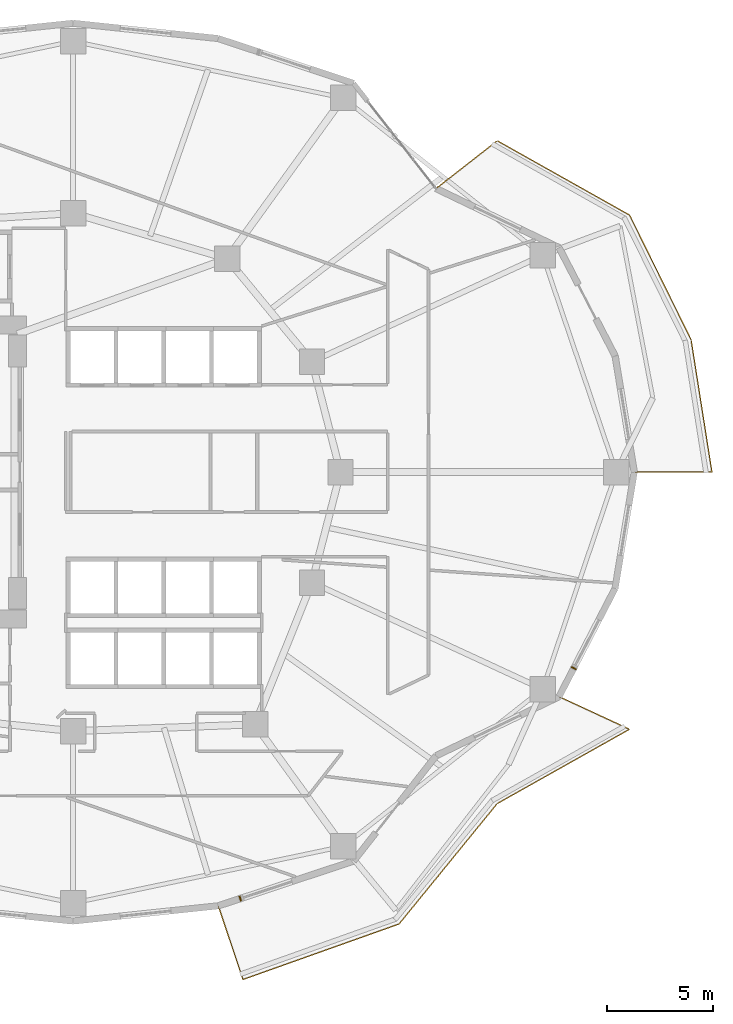
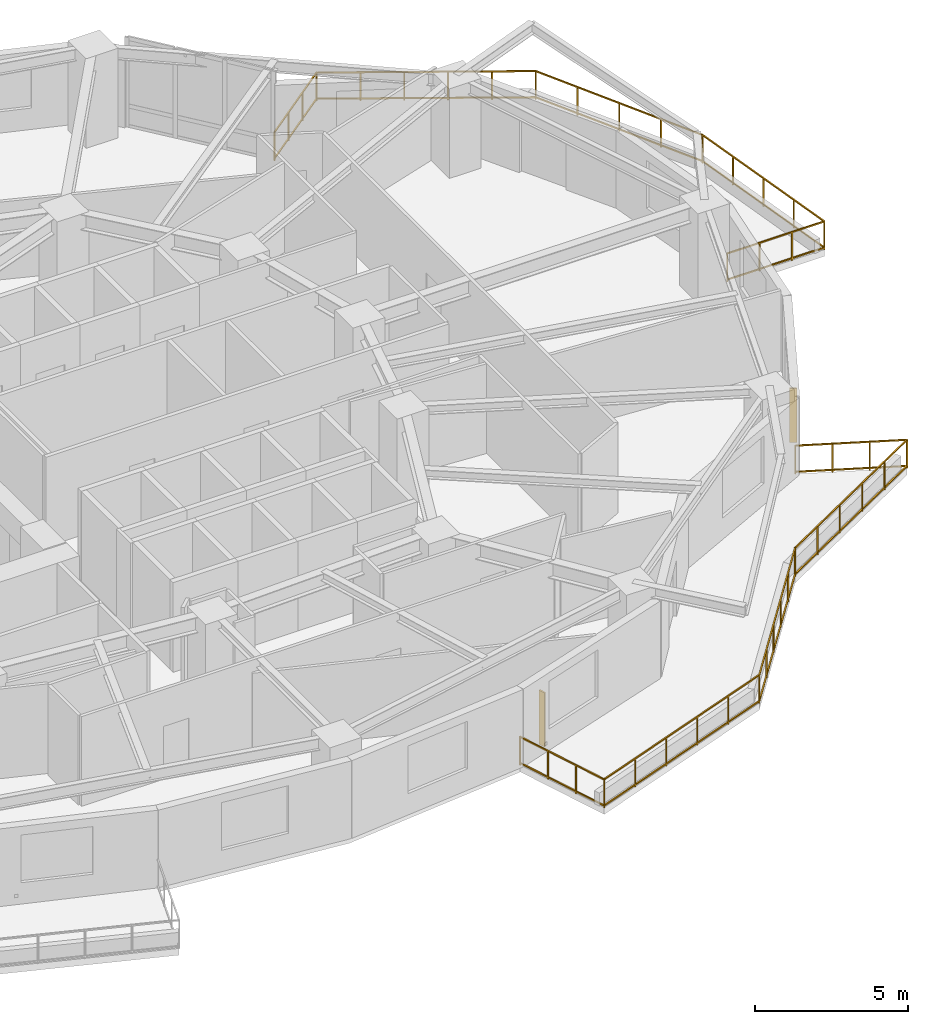
# One storey, part 11 of 12: 2 railings, 2 shading devices.
"""IFC4 building model written with IfcOpenShell, lengths in metres."""

import ifcopenshell
import ifcopenshell.guid

model = None  # the IFC model being written
_history = None  # IfcOwnerHistory: only IFC2X3 demands one
_inside = {}  # id of a spatial element -> (the spatial element, [elements in it])
_under = {}  # id of a project, library or spatial element -> (it, [spatial elements below it])
_declared = {}  # id of a project -> (the project, [libraries it declares])
_typed = {}  # id of a type object -> (the type object, [elements of that type])
_made_of = {}  # id of a material, layer set ... -> (it, [elements and type objects made of it])


def new_model(schema):
    """Start an empty IFC model of exactly this schema.

    Asked for "IFC4X3", IfcOpenShell would pick the latest addendum, in which some entities
    have other attributes; the version numbers below select the first issue.
    IFC2X3 requires an IfcOwnerHistory on every rooted entity: one is made here for all.
    """
    global model, _history
    if schema == "IFC4X3":
        model = ifcopenshell.file(schema_version=(4, 3, 0, 0))
    else:
        model = ifcopenshell.file(schema=schema)
    _inside.clear()
    _under.clear()
    _declared.clear()
    _typed.clear()
    _made_of.clear()
    _history = None
    if model.schema == "IFC2X3":
        org = make("IfcOrganization", Name="unknown")
        user = make(
            "IfcPersonAndOrganization",
            ThePerson=make("IfcPerson", FamilyName="unknown"),
            TheOrganization=org,
        )
        app = make(
            "IfcApplication",
            ApplicationDeveloper=org,
            Version="unknown",
            ApplicationFullName="unknown",
            ApplicationIdentifier="unknown",
        )
        _history = make(
            "IfcOwnerHistory",
            OwningUser=user,
            OwningApplication=app,
            ChangeAction="ADDED",
            CreationDate=0,
        )
    return model


def make(cls, **values):
    """One entity of the class cls with the attributes given. An attribute that is None is left unset."""
    return model.create_entity(
        cls, **{name: value for name, value in values.items() if value is not None}
    )


def rooted(cls, **values):
    """An entity with a GlobalId (a new one), such as an element, a storey or a relation."""
    return make(cls, GlobalId=ifcopenshell.guid.new(), OwnerHistory=_history, **values)


def si_unit(unit_type, name, prefix=None):
    """IfcSIUnit, for example si_unit("LENGTHUNIT", "METRE", prefix="MILLI")."""
    return make("IfcSIUnit", UnitType=unit_type, Prefix=prefix, Name=name)


def assignment(units):
    """IfcUnitAssignment: the units of a project."""
    return None if units is None else make("IfcUnitAssignment", Units=units)


def point(xyz):
    """IfcCartesianPoint."""
    return None if xyz is None else make("IfcCartesianPoint", Coordinates=xyz)


def direction(xyz):
    """IfcDirection."""
    return None if xyz is None else make("IfcDirection", DirectionRatios=xyz)


def frame(location, z_axis=None, x_axis=None):
    """IfcAxis2Placement3D, a coordinate frame: its origin and axes. An axis left out is left unset."""
    return make(
        "IfcAxis2Placement3D",
        Location=point(location),
        Axis=direction(z_axis),
        RefDirection=direction(x_axis),
    )


def frame_2d(location, x_axis=None):
    """IfcAxis2Placement2D, a coordinate frame in the plane: its origin and x axis."""
    return make(
        "IfcAxis2Placement2D", Location=point(location), RefDirection=direction(x_axis)
    )


def origin():
    """The frame at (0, 0, 0) with its axes left unset."""
    return frame((0.0, 0.0, 0.0))


def origin_2d():
    """The frame at (0, 0) in the plane with its x axis left unset."""
    return frame_2d((0.0, 0.0))


def place(relative_to, where):
    """IfcLocalPlacement: puts the frame where relative to a parent placement (None: the world)."""
    return make(
        "IfcLocalPlacement", PlacementRelTo=relative_to, RelativePlacement=where
    )


def context(
    kind, dimensions, precision=None, world=None, true_north=None, identifier=None
):
    """IfcGeometricRepresentationContext, for example the 3D "Model" context."""
    return make(
        "IfcGeometricRepresentationContext",
        ContextIdentifier=identifier,
        ContextType=kind,
        CoordinateSpaceDimension=dimensions,
        Precision=precision,
        WorldCoordinateSystem=world,
        TrueNorth=true_north,
    )


def subcontext(parent, identifier, kind, view, scale=None):
    """IfcGeometricRepresentationSubContext, for example "Body" below "Model"."""
    return make(
        "IfcGeometricRepresentationSubContext",
        ContextIdentifier=identifier,
        ContextType=kind,
        ParentContext=parent,
        TargetScale=scale,
        TargetView=view,
    )


def project(units=None, contexts=None):
    """IfcProject with its units and contexts."""
    return rooted(
        "IfcProject",
        Name="project",
        RepresentationContexts=contexts,
        UnitsInContext=assignment(units),
    )


def spatial(cls, under=None, at=None, **own):
    """A site, building, storey or space (cls), placed at a placement, below another one or the project."""
    s = rooted(cls, ObjectPlacement=at, **own)
    if under is not None:
        _under.setdefault(under.id(), (under, []))[1].append(s)
    return s


def profile(cls, at=None, kind="AREA", **sizes):
    """A parametric profile (cls). Its sizes go by their IFC names, for example OverallWidth=200.0."""
    return make(cls, ProfileType=kind, Position=at, **sizes)


def rectangle(**sizes):
    """IfcRectangleProfileDef."""
    return profile("IfcRectangleProfileDef", **sizes)


def extrude(swept, where, along, depth):
    """IfcExtrudedAreaSolid: the profile swept, set in the frame where, extruded along a direction by depth."""
    return make(
        "IfcExtrudedAreaSolid",
        SweptArea=swept,
        Position=where,
        ExtrudedDirection=direction(along),
        Depth=depth,
    )


def shape(context_of_items, identifier, shape_type, items):
    """IfcShapeRepresentation: the items that make up one representation, for example the "Body"."""
    return make(
        "IfcShapeRepresentation",
        ContextOfItems=context_of_items,
        RepresentationIdentifier=identifier,
        RepresentationType=shape_type,
        Items=items,
    )


def material(Name=None, Category=None):
    """IfcMaterial."""
    return make("IfcMaterial", Name=Name, Category=Category)


def made_of(thing, what):
    """Note that an element or type object is made of a material, layer set ...; save() writes the relation."""
    if what is not None:
        _made_of.setdefault(what.id(), (what, []))[1].append(thing)
    return thing


def type_object(cls, material=None, **own):
    """A type object (cls), such as IfcWallType, which elements share."""
    return made_of(rooted(cls, **own), material)


def element(
    cls,
    number,
    at=None,
    inside=None,
    cuts=None,
    type_object=None,
    material=None,
    context=None,
    identifier="Body",
    shape_type=None,
    held_by="IfcProductDefinitionShape",
    body=None,
    shapes=None,
    **own,
):
    """One element of the class cls, such as IfcWall. Its Tag is "e" and its number.

    at: its placement. inside: the storey or other place that contains it. cuts: it is an
    opening in that element (IfcRelVoidsElement). A single representation is given by context,
    identifier, shape_type and body (its items); several are given by shapes. held_by: the class
    of the entity that holds the representations. save() writes the other relations.
    """
    e = rooted(cls, Tag="e%d" % number, ObjectPlacement=at, **own)
    if body is not None:
        shapes = [shape(context, identifier, shape_type, body)]
    if shapes is not None:
        e.Representation = make(held_by, Representations=shapes)
    if inside is not None:
        _inside.setdefault(inside.id(), (inside, []))[1].append(e)
    if cuts is not None:
        rooted(
            "IfcRelVoidsElement", RelatingBuildingElement=cuts, RelatedOpeningElement=e
        )
    if type_object is not None:
        _typed.setdefault(type_object.id(), (type_object, []))[1].append(e)
    return made_of(e, material)


def aggregate(whole, parts):
    """IfcRelAggregates: a whole, such as a stair, and the parts it consists of."""
    return rooted("IfcRelAggregates", RelatingObject=whole, RelatedObjects=parts)


def save(model, path):
    """Write the relations noted so far, then the file.

    IfcRelAggregates (storeys below a building ...), IfcRelContainedInSpatialStructure (elements
    in a storey), IfcRelDefinesByType, IfcRelAssociatesMaterial and IfcRelDeclares: one each for
    every whole, place, type object, material and project.
    """
    for whole, parts in _under.values():
        aggregate(whole, parts)
    for where, things in _inside.values():
        rooted(
            "IfcRelContainedInSpatialStructure",
            RelatedElements=things,
            RelatingStructure=where,
        )
    for kind, things in _typed.values():
        rooted("IfcRelDefinesByType", RelatedObjects=things, RelatingType=kind)
    for what, things in _made_of.values():
        rooted("IfcRelAssociatesMaterial", RelatedObjects=things, RelatingMaterial=what)
    for by, libraries in _declared.values():
        rooted("IfcRelDeclares", RelatingContext=by, RelatedDefinitions=libraries)
    model.write(path)


model = new_model("IFC4")

# Units and contexts
model_context = context("Model", 3, precision=1e-05, world=origin(), true_north=direction((0.0, 1.0)))
body_context = subcontext(model_context, "Body", "Model", "MODEL_VIEW")
ifc_project = project(units=[si_unit("LENGTHUNIT", "METRE"), si_unit("AREAUNIT", "SQUARE_METRE"), si_unit("VOLUMEUNIT", "CUBIC_METRE"), si_unit("PLANEANGLEUNIT", "RADIAN"), si_unit("MASSUNIT", "GRAM", prefix="KILO")], contexts=[model_context])

# Site, building, storey
site_placement = place(None, origin())
site = spatial("IfcSite", under=ifc_project, at=site_placement, CompositionType="ELEMENT")
building_placement = place(site_placement, origin())
building = spatial("IfcBuilding", under=site, at=building_placement, Name="Kolvaren Gate Tower and Convention Centre", CompositionType="ELEMENT")
storey_placement = place(building_placement, frame((0.0, 0.0, 84.25)))
storey = spatial("IfcBuildingStorey", under=building, at=storey_placement, Name="L20", CompositionType="ELEMENT", Elevation=84.25)

# Railings
ifc_material_1 = material(Name="Brushed Stainless Steel Grade 316L", Category="steel")
railing_type = type_object("IfcRailingType", Name="ARCH-RL-GUARD-1150", PredefinedType="GUARDRAIL", material=ifc_material_1)
railing_1_placement = place(storey_placement, frame((56.5625, 27.0, 0.0)))
element("IfcRailing", 1, at=railing_1_placement, inside=storey, type_object=railing_type, Name="Tower L20 Terrace Perimeter Guardrail GR-1", PredefinedType="GUARDRAIL", context=body_context, shape_type="SweptSolid", body=[
    extrude(rectangle(XDim=0.048095703125, YDim=0.048095703125, at=origin_2d()), frame((0.028076171875, 0.0, 1.1259765625), z_axis=(1.0, 0.0, 0.0), x_axis=(0.0, 1.0, 0.0)), (0.0, 0.0, 1.0), 3.603759765625),
    extrude(rectangle(XDim=0.048095703125, YDim=0.048095703125, at=origin_2d()), frame((0.028076171875, 0.0, 0.083984375), z_axis=(1.0, 0.0, 0.0), x_axis=(0.0, 1.0, 0.0)), (0.0, 0.0, 1.0), 3.603759765625),
    extrude(rectangle(XDim=0.048095703125, YDim=0.048095703125, at=origin_2d()), frame((3.655517578125, 0.027587890625, 1.1259765625), z_axis=(-0.155418843943, 0.98784866399, 0.0), x_axis=(-0.98784866399, -0.155418843943, 0.0)), (0.0, 0.0, 1.0), 6.261962890625),
    extrude(rectangle(XDim=0.048095703125, YDim=0.048095703125, at=origin_2d()), frame((3.655517578125, 0.027587890625, 0.083984375), z_axis=(-0.155418843943, 0.98784866399, 0.0), x_axis=(-0.98784866399, -0.155418843943, 0.0)), (0.0, 0.0, 1.0), 6.261962890625),
    extrude(rectangle(XDim=0.048095703125, YDim=0.048095703125, at=origin_2d()), frame((2.66552734375, 6.266357421875, 1.1259765625), z_axis=(-0.442686636348, 0.89667638644, 0.0), x_axis=(-0.89667638644, -0.442686636348, 0.0)), (0.0, 0.0, 1.0), 6.488525390625),
    extrude(rectangle(XDim=0.048095703125, YDim=0.048095703125, at=origin_2d()), frame((2.66552734375, 6.266357421875, 0.083984375), z_axis=(-0.442686636348, 0.89667638644, 0.0), x_axis=(-0.89667638644, -0.442686636348, 0.0)), (0.0, 0.0, 1.0), 6.488525390625),
    extrude(rectangle(XDim=0.048095703125, YDim=0.048095703125, at=origin_2d()), frame((-0.24365234375, 12.123291015625, 1.1259765625), z_axis=(-0.871783301661, 0.489891697159, 0.0), x_axis=(-0.489891697159, -0.871783301661, 0.0)), (0.0, 0.0, 1.0), 7.096435546875),
    extrude(rectangle(XDim=0.048095703125, YDim=0.048095703125, at=origin_2d()), frame((-0.24365234375, 12.123291015625, 0.083984375), z_axis=(-0.871783301661, 0.489891697159, 0.0), x_axis=(-0.489891697159, -0.871783301661, 0.0)), (0.0, 0.0, 1.0), 7.096435546875),
    extrude(rectangle(XDim=0.048095703125, YDim=0.048095703125, at=origin_2d()), frame((-6.476806640625, 15.59619140625, 1.1259765625), z_axis=(-0.787988976981, -0.61568934712, 0.0), x_axis=(0.61568934712, -0.787988976981, 0.0)), (0.0, 0.0, 1.0), 3.60400390625),
    extrude(rectangle(XDim=0.048095703125, YDim=0.048095703125, at=origin_2d()), frame((-6.476806640625, 15.59619140625, 0.083984375), z_axis=(-0.787988976981, -0.61568934712, 0.0), x_axis=(0.61568934712, -0.787988976981, 0.0)), (0.0, 0.0, 1.0), 3.60400390625),
    extrude(rectangle(XDim=0.0419921875, YDim=0.0419921875, at=origin_2d()), origin(), (0.0, 0.0, 1.0), 1.14990234375),
    extrude(rectangle(XDim=0.0419921875, YDim=0.0419921875, at=origin_2d()), frame((3.659912109375, 0.0, 0.0)), (0.0, 0.0, 1.0), 1.14990234375),
    extrude(rectangle(XDim=0.0419921875, YDim=0.0419921875, at=origin_2d()), frame((1.219970703125, 0.0, 0.0)), (0.0, 0.0, 1.0), 1.099853515625),
    extrude(rectangle(XDim=0.0419921875, YDim=0.0419921875, at=origin_2d()), frame((2.43994140625, 0.0, 0.0)), (0.0, 0.0, 1.0), 1.099853515625),
    extrude(rectangle(XDim=0.0419921875, YDim=0.0419921875, at=origin_2d()), frame((2.677978515625, 6.2412109375, 0.0)), (0.0, 0.0, 1.0), 1.14990234375),
    extrude(rectangle(XDim=0.0419921875, YDim=0.0419921875, at=origin_2d()), frame((3.41455078125, 1.560302734375, 0.0)), (0.0, 0.0, 1.0), 1.099853515625),
    extrude(rectangle(XDim=0.0419921875, YDim=0.0419921875, at=origin_2d()), frame((3.1689453125, 3.12060546875, 0.0)), (0.0, 0.0, 1.0), 1.099853515625),
    extrude(rectangle(XDim=0.0419921875, YDim=0.0419921875, at=origin_2d()), frame((2.92333984375, 4.680908203125, 0.0)), (0.0, 0.0, 1.0), 1.099853515625),
    extrude(rectangle(XDim=0.0419921875, YDim=0.0419921875, at=origin_2d()), frame((-0.21923828125, 12.109619140625, 0.0)), (0.0, 0.0, 1.0), 1.14990234375),
    extrude(rectangle(XDim=0.0419921875, YDim=0.0419921875, at=origin_2d()), frame((1.95361328125, 7.708251953125, 0.0)), (0.0, 0.0, 1.0), 1.099853515625),
    extrude(rectangle(XDim=0.0419921875, YDim=0.0419921875, at=origin_2d()), frame((1.2294921875, 9.17529296875, 0.0)), (0.0, 0.0, 1.0), 1.099853515625),
    extrude(rectangle(XDim=0.0419921875, YDim=0.0419921875, at=origin_2d()), frame((0.505126953125, 10.642578125, 0.0)), (0.0, 0.0, 1.0), 1.099853515625),
    extrude(rectangle(XDim=0.0419921875, YDim=0.0419921875, at=origin_2d()), frame((-6.45458984375, 15.613525390625, 0.0)), (0.0, 0.0, 1.0), 1.14990234375),
    extrude(rectangle(XDim=0.0419921875, YDim=0.0419921875, at=origin_2d()), frame((-1.46630859375, 12.810302734375, 0.0)), (0.0, 0.0, 1.0), 1.099853515625),
    extrude(rectangle(XDim=0.0419921875, YDim=0.0419921875, at=origin_2d()), frame((-2.71337890625, 13.51123046875, 0.0)), (0.0, 0.0, 1.0), 1.099853515625),
    extrude(rectangle(XDim=0.0419921875, YDim=0.0419921875, at=origin_2d()), frame((-3.96044921875, 14.2119140625, 0.0)), (0.0, 0.0, 1.0), 1.099853515625),
    extrude(rectangle(XDim=0.0419921875, YDim=0.0419921875, at=origin_2d()), frame((-5.20751953125, 14.912841796875, 0.0)), (0.0, 0.0, 1.0), 1.099853515625),
    extrude(rectangle(XDim=0.0419921875, YDim=0.0419921875, at=origin_2d()), frame((-9.338623046875, 13.360107421875, 0.0)), (0.0, 0.0, 1.0), 1.14990234375),
    extrude(rectangle(XDim=0.0419921875, YDim=0.0419921875, at=origin_2d()), frame((-7.416015625, 14.8623046875, 0.0)), (0.0, 0.0, 1.0), 1.099853515625),
    extrude(rectangle(XDim=0.0419921875, YDim=0.0419921875, at=origin_2d()), frame((-8.377197265625, 14.111328125, 0.0)), (0.0, 0.0, 1.0), 1.099853515625),
])
railing_2_placement = place(storey_placement, frame((36.967529296875, 6.57080078125, 0.0)))
element("IfcRailing", 2, at=railing_2_placement, inside=storey, type_object=railing_type, Name="Tower L20 Terrace Perimeter Guardrail GR-4", PredefinedType="GUARDRAIL", context=body_context, shape_type="SweptSolid", body=[
    extrude(rectangle(XDim=0.048095703125, YDim=0.048095703125, at=origin_2d()), frame((0.0087890625, -0.026611328125, 1.1259765625), z_axis=(0.317568160167, -0.94823544737, 0.0), x_axis=(0.94823544737, 0.317568160167, 0.0)), (0.0, 0.0, 1.0), 3.60400390625),
    extrude(rectangle(XDim=0.048095703125, YDim=0.048095703125, at=origin_2d()), frame((0.0087890625, -0.026611328125, 0.083984375), z_axis=(0.317568160167, -0.94823544737, 0.0), x_axis=(0.94823544737, 0.317568160167, 0.0)), (0.0, 0.0, 1.0), 3.60400390625),
    extrude(rectangle(XDim=0.048095703125, YDim=0.048095703125, at=origin_2d()), frame((1.188720703125, -3.46142578125, 1.1259765625), z_axis=(0.942200211781, 0.335050385643, 0.0), x_axis=(-0.335050385643, 0.942200211781, 0.0)), (0.0, 0.0, 1.0), 7.7509765625),
    extrude(rectangle(XDim=0.048095703125, YDim=0.048095703125, at=origin_2d()), frame((1.188720703125, -3.46142578125, 0.083984375), z_axis=(0.942200211781, 0.335050385643, 0.0), x_axis=(-0.335050385643, 0.942200211781, 0.0)), (0.0, 0.0, 1.0), 7.7509765625),
    extrude(rectangle(XDim=0.048095703125, YDim=0.048095703125, at=origin_2d()), frame((8.535888671875, -0.833251953125, 1.1259765625), z_axis=(0.631819273026, 0.775115737315, 0.0), x_axis=(-0.775115737315, 0.631819273026, 0.0)), (0.0, 0.0, 1.0), 7.259765625),
    extrude(rectangle(XDim=0.048095703125, YDim=0.048095703125, at=origin_2d()), frame((8.535888671875, -0.833251953125, 0.083984375), z_axis=(0.631819273026, 0.775115737315, 0.0), x_axis=(-0.775115737315, 0.631819273026, 0.0)), (0.0, 0.0, 1.0), 7.259765625),
    extrude(rectangle(XDim=0.048095703125, YDim=0.048095703125, at=origin_2d()), frame((13.164794921875, 4.829345703125, 1.1259765625), z_axis=(0.871783301661, 0.489891697159, 0.0), x_axis=(-0.489891697159, 0.871783301661, 0.0)), (0.0, 0.0, 1.0), 7.096435546875),
    extrude(rectangle(XDim=0.048095703125, YDim=0.048095703125, at=origin_2d()), frame((13.164794921875, 4.829345703125, 0.083984375), z_axis=(0.871783301661, 0.489891697159, 0.0), x_axis=(-0.489891697159, 0.871783301661, 0.0)), (0.0, 0.0, 1.0), 7.096435546875),
    extrude(rectangle(XDim=0.048095703125, YDim=0.048095703125, at=origin_2d()), frame((19.350341796875, 8.331298828125, 1.1259765625), z_axis=(-0.907846116663, 0.419303503993, 0.0), x_axis=(-0.419303503993, -0.907846116663, 0.0)), (0.0, 0.0, 1.0), 3.60400390625),
    extrude(rectangle(XDim=0.048095703125, YDim=0.048095703125, at=origin_2d()), frame((19.350341796875, 8.331298828125, 0.083984375), z_axis=(-0.907846116663, 0.419303503993, 0.0), x_axis=(-0.419303503993, -0.907846116663, 0.0)), (0.0, 0.0, 1.0), 3.60400390625),
    extrude(rectangle(XDim=0.0419921875, YDim=0.0419921875, at=origin_2d()), origin(), (0.0, 0.0, 1.0), 1.14990234375),
    extrude(rectangle(XDim=0.0419921875, YDim=0.0419921875, at=origin_2d()), frame((1.162353515625, -3.470703125, 0.0)), (0.0, 0.0, 1.0), 1.14990234375),
    extrude(rectangle(XDim=0.0419921875, YDim=0.0419921875, at=origin_2d()), frame((0.387451171875, -1.156982421875, 0.0)), (0.0, 0.0, 1.0), 1.099853515625),
    extrude(rectangle(XDim=0.0419921875, YDim=0.0419921875, at=origin_2d()), frame((0.77490234375, -2.313720703125, 0.0)), (0.0, 0.0, 1.0), 1.099853515625),
    extrude(rectangle(XDim=0.0419921875, YDim=0.0419921875, at=origin_2d()), frame((8.51806640625, -0.85498046875, 0.0)), (0.0, 0.0, 1.0), 1.14990234375),
    extrude(rectangle(XDim=0.0419921875, YDim=0.0419921875, at=origin_2d()), frame((2.633544921875, -2.947509765625, 0.0)), (0.0, 0.0, 1.0), 1.099853515625),
    extrude(rectangle(XDim=0.0419921875, YDim=0.0419921875, at=origin_2d()), frame((4.104736328125, -2.42431640625, 0.0)), (0.0, 0.0, 1.0), 1.099853515625),
    extrude(rectangle(XDim=0.0419921875, YDim=0.0419921875, at=origin_2d()), frame((5.57568359375, -1.9013671875, 0.0)), (0.0, 0.0, 1.0), 1.099853515625),
    extrude(rectangle(XDim=0.0419921875, YDim=0.0419921875, at=origin_2d()), frame((7.046875, -1.378173828125, 0.0)), (0.0, 0.0, 1.0), 1.099853515625),
    extrude(rectangle(XDim=0.0419921875, YDim=0.0419921875, at=origin_2d()), frame((13.140380859375, 4.815673828125, 0.0)), (0.0, 0.0, 1.0), 1.14990234375),
    extrude(rectangle(XDim=0.0419921875, YDim=0.0419921875, at=origin_2d()), frame((9.442626953125, 0.279052734375, 0.0)), (0.0, 0.0, 1.0), 1.099853515625),
    extrude(rectangle(XDim=0.0419921875, YDim=0.0419921875, at=origin_2d()), frame((10.366943359375, 1.413330078125, 0.0)), (0.0, 0.0, 1.0), 1.099853515625),
    extrude(rectangle(XDim=0.0419921875, YDim=0.0419921875, at=origin_2d()), frame((11.29150390625, 2.54736328125, 0.0)), (0.0, 0.0, 1.0), 1.099853515625),
    extrude(rectangle(XDim=0.0419921875, YDim=0.0419921875, at=origin_2d()), frame((12.2158203125, 3.681640625, 0.0)), (0.0, 0.0, 1.0), 1.099853515625),
    extrude(rectangle(XDim=0.0419921875, YDim=0.0419921875, at=origin_2d()), frame((19.375732421875, 8.319580078125, 0.0)), (0.0, 0.0, 1.0), 1.14990234375),
    extrude(rectangle(XDim=0.0419921875, YDim=0.0419921875, at=origin_2d()), frame((14.387451171875, 5.516357421875, 0.0)), (0.0, 0.0, 1.0), 1.099853515625),
    extrude(rectangle(XDim=0.0419921875, YDim=0.0419921875, at=origin_2d()), frame((15.634521484375, 6.21728515625, 0.0)), (0.0, 0.0, 1.0), 1.099853515625),
    extrude(rectangle(XDim=0.0419921875, YDim=0.0419921875, at=origin_2d()), frame((16.881591796875, 6.91796875, 0.0)), (0.0, 0.0, 1.0), 1.099853515625),
    extrude(rectangle(XDim=0.0419921875, YDim=0.0419921875, at=origin_2d()), frame((18.128662109375, 7.618896484375, 0.0)), (0.0, 0.0, 1.0), 1.099853515625),
    extrude(rectangle(XDim=0.0419921875, YDim=0.0419921875, at=origin_2d()), frame((16.052978515625, 9.854248046875, 0.0)), (0.0, 0.0, 1.0), 1.14990234375),
    extrude(rectangle(XDim=0.0419921875, YDim=0.0419921875, at=origin_2d()), frame((18.26806640625, 8.8310546875, 0.0)), (0.0, 0.0, 1.0), 1.099853515625),
    extrude(rectangle(XDim=0.0419921875, YDim=0.0419921875, at=origin_2d()), frame((17.16064453125, 9.3427734375, 0.0)), (0.0, 0.0, 1.0), 1.099853515625),
])

# Shading devices
ifc_material_2 = material(Name="Kiln-Fired Bogota Terracotta Ceramic Louvre Profile", Category="masonry")
shading_device_type = type_object("IfcShadingDeviceType", Name="ARCH-SHD-FIN-180", PredefinedType="JALOUSIE", material=ifc_material_2)
for number, where, z_axis, x_axis, name in (
    (3, (38.002197265625, 6.91357421875, 0.219970703125), (0.0, 0.0, 1.0), (0.949241728595, 0.314547517385, 0.0), "Ceramic Vertical Brise-Soleil Fin FN-L20-19"),
    (4, (53.7158203125, 17.767578125, 0.219970703125), (0.0, 0.0, 1.0), (0.45980150925, 0.888021718254, 0.0), "Ceramic Vertical Brise-Soleil Fin FN-L20-22"),
):
    element("IfcShadingDevice", number, at=place(storey_placement, frame(where, z_axis=z_axis, x_axis=x_axis)), inside=storey, type_object=shading_device_type, Name=name, PredefinedType="JALOUSIE", context=body_context, shape_type="SweptSolid", body=[
        extrude(rectangle(XDim=0.06005859375, YDim=0.239990234375, at=origin_2d()), origin(), (0.0, 0.0, 1.0), 2.14990234375),
    ])

save(model, "model.ifc")
